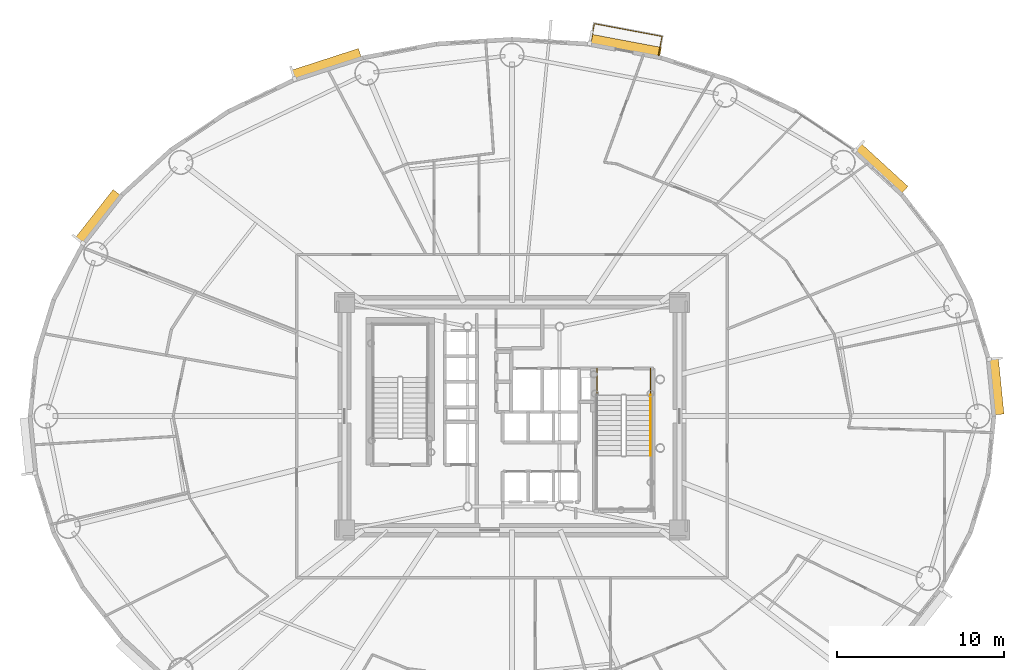
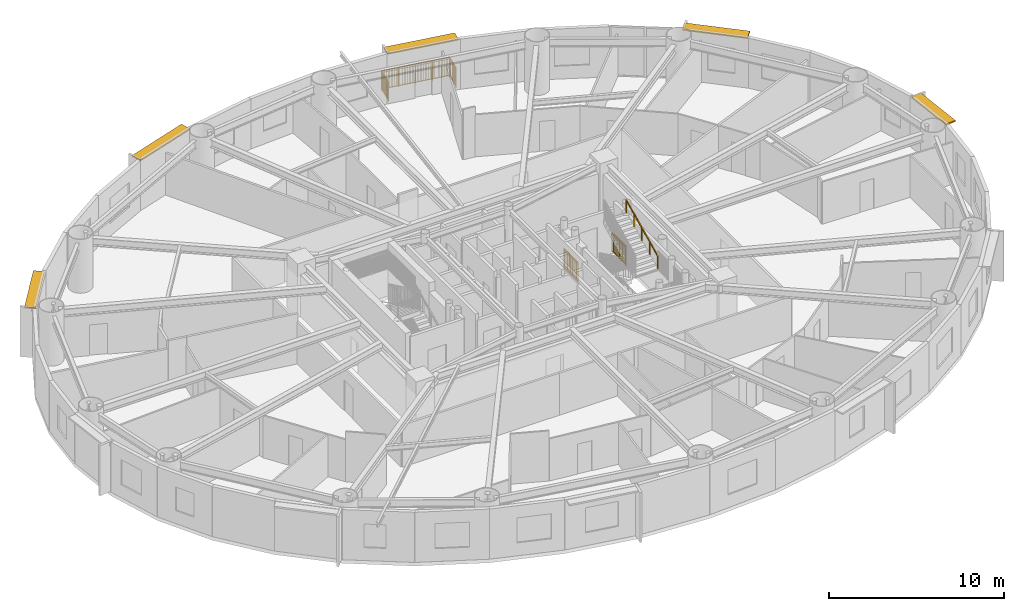
# One storey, part 20 of 20: 5 shading devices, 4 railings.
"""IFC4 building model written with IfcOpenShell, lengths in metres."""

from ifc_helpers import new_model, si_unit, direction, frame, origin, origin_2d, place, context, subcontext, project, spatial, rectangle, extrude, source, transform, mapped, material, layer, layer_set, type_object, element, save


model = new_model("IFC4")

# Units and contexts
model_context = context("Model", 3, precision=1e-05, world=origin(), true_north=direction((0.0, 1.0)))
body_context = subcontext(model_context, "Body", "Model", "MODEL_VIEW")
ifc_project = project(units=[si_unit("LENGTHUNIT", "METRE"), si_unit("AREAUNIT", "SQUARE_METRE"), si_unit("VOLUMEUNIT", "CUBIC_METRE"), si_unit("PLANEANGLEUNIT", "RADIAN"), si_unit("MASSUNIT", "GRAM", prefix="KILO")], contexts=[model_context])

# Site, building, storey
site_placement = place(None, origin())
site = spatial("IfcSite", under=ifc_project, at=site_placement, CompositionType="ELEMENT")
building_placement = place(site_placement, origin())
building = spatial("IfcBuilding", under=site, at=building_placement, Name="Linh Dai School and Residence Tower", CompositionType="ELEMENT")
storey_placement = place(building_placement, frame((0.0, 0.0, 127.199951171875)))
storey = spatial("IfcBuildingStorey", under=building, at=storey_placement, Name="L30", CompositionType="ELEMENT", Elevation=127.199951171875)

# Shading devices
ifc_material_1 = material(Name="Terracotta Ceramic Sunshade", Category="masonry")
ifc_layer = layer(ifc_material_1, 0.10009765625)
ifc_layer_set = layer_set([ifc_layer], Name="Terracotta Ceramic Sunshade")
shading_device_type = type_object("IfcShadingDeviceType", Name="SHD-TC-650", PredefinedType="USERDEFINED", material=ifc_layer_set)
shared_shape_1 = source(origin(), body_context, "Body", "SweptSolid", [
    extrude(rectangle(XDim=3.3916015625, YDim=0.64990234375, at=origin_2d()), origin(), (0.0, 0.0, 1.0), 0.10009765625),
])
shading_device_1_placement = place(storey_placement, frame((64.8818359375, 28.7861328125, 3.3798828125), z_axis=(0.0, 0.0, 1.0), x_axis=(0.100007297192, -0.994986703684, 0.0)))
element("IfcShadingDevice", 1, at=shading_device_1_placement, inside=storey, type_object=shading_device_type, Name="L30 Terracotta Horizontal Sunshade Band 01", ObjectType="SUNSHADE", PredefinedType="USERDEFINED", context=body_context, shape_type="MappedRepresentation", body=[
    mapped(shared_shape_1, transform((0.0, 0.0, 0.0), x_axis=(1.0, 0.0, 0.0), y_axis=(0.0, 1.0, 0.0), z_axis=(0.0, 0.0, 1.0), scale=1.0)),
])
shared_shape_2 = source(origin(), body_context, "Body", "SweptSolid", [
    extrude(rectangle(XDim=3.81689453125, YDim=0.64990234375, at=origin_2d()), origin(), (0.0, 0.0, 1.0), 0.10009765625),
])
shading_device_2_placement = place(storey_placement, frame((58.016357421875, 41.77001953125, 3.3798828125), z_axis=(0.0, 0.0, 1.0), x_axis=(0.737100266172, -0.675783395482, 0.0)))
element("IfcShadingDevice", 2, at=shading_device_2_placement, inside=storey, type_object=shading_device_type, Name="L30 Terracotta Horizontal Sunshade Band 05", ObjectType="SUNSHADE", PredefinedType="USERDEFINED", context=body_context, shape_type="MappedRepresentation", body=[
    mapped(shared_shape_2, transform((0.0, 0.0, 0.0), x_axis=(1.0, 0.0, 0.0), y_axis=(0.0, 1.0, 0.0), z_axis=(0.0, 0.0, 1.0), scale=1.0)),
])
shared_shape_3 = source(origin(), body_context, "Body", "SweptSolid", [
    extrude(rectangle(XDim=4.292236328125, YDim=0.64990234375, at=origin_2d()), origin(), (0.0, 0.0, 1.0), 0.10009765625),
])
shading_device_3_placement = place(storey_placement, frame((42.75537109375, 49.094482421875, 3.3798828125), z_axis=(0.0, 0.0, 1.0), x_axis=(0.982784673718, -0.18475466193, 0.0)))
element("IfcShadingDevice", 3, at=shading_device_3_placement, inside=storey, type_object=shading_device_type, Name="L30 Terracotta Horizontal Sunshade Band 09", ObjectType="SUNSHADE", PredefinedType="USERDEFINED", context=body_context, shape_type="MappedRepresentation", body=[
    mapped(shared_shape_3, transform((0.0, 0.0, 0.0), x_axis=(1.0, 0.0, 0.0), y_axis=(0.0, 1.0, 0.0), z_axis=(0.0, 0.0, 1.0), scale=1.0)),
])
shared_shape_4 = source(origin(), body_context, "Body", "SweptSolid", [
    extrude(rectangle(XDim=4.212890625, YDim=0.64990234375, at=origin_2d()), origin(), (0.0, 0.0, 1.0), 0.10009765625),
])
shading_device_4_placement = place(storey_placement, frame((24.92529296875, 47.995361328125, 3.3798828125), z_axis=(0.0, 0.0, 1.0), x_axis=(0.951217089442, 0.308522363457, 0.0)))
element("IfcShadingDevice", 4, at=shading_device_4_placement, inside=storey, type_object=shading_device_type, Name="L30 Terracotta Horizontal Sunshade Band 13", ObjectType="SUNSHADE", PredefinedType="USERDEFINED", context=body_context, shape_type="MappedRepresentation", body=[
    mapped(shared_shape_4, transform((0.0, 0.0, 0.0), x_axis=(1.0, 0.0, 0.0), y_axis=(0.0, 1.0, 0.0), z_axis=(0.0, 0.0, 1.0), scale=1.0)),
])
shared_shape_5 = source(origin(), body_context, "Body", "SweptSolid", [
    extrude(rectangle(XDim=3.67041015625, YDim=0.64990234375, at=origin_2d()), origin(), (0.0, 0.0, 1.0), 0.10009765625),
])
shading_device_5_placement = place(storey_placement, frame((11.308349609375, 38.88671875, 3.3798828125), z_axis=(0.0, 0.0, 1.0), x_axis=(0.616305017583, 0.787507539838, 0.0)))
element("IfcShadingDevice", 5, at=shading_device_5_placement, inside=storey, type_object=shading_device_type, Name="L30 Terracotta Horizontal Sunshade Band 17", ObjectType="SUNSHADE", PredefinedType="USERDEFINED", context=body_context, shape_type="MappedRepresentation", body=[
    mapped(shared_shape_5, transform((0.0, 0.0, 0.0), x_axis=(1.0, 0.0, 0.0), y_axis=(0.0, 1.0, 0.0), z_axis=(0.0, 0.0, 1.0), scale=1.0)),
])

# Railings
ifc_material_2 = material(Name="Structural Steel S355JR", Category="steel")
railing_type_1 = type_object("IfcRailingType", Name="RL-BAL-1400", PredefinedType="BALUSTRADE", material=ifc_material_2)
shared_shape_6 = source(origin(), body_context, "Body", "SweptSolid", [
    extrude(rectangle(XDim=0.048095703125, YDim=0.048095703125, at=origin_2d()), frame((0.0, 0.0, 1.3759765625), z_axis=(0.18476321632, 0.982783065531, 0.0), x_axis=(-0.982783065531, 0.18476321632, 0.0)), (0.0, 0.0, 1.0), 1.179931640625),
    extrude(rectangle(XDim=0.048095703125, YDim=0.048095703125, at=origin_2d()), frame((0.0, 0.0, 0.10009765625), z_axis=(0.18476321632, 0.982783065531, 0.0), x_axis=(-0.982783065531, 0.18476321632, 0.0)), (0.0, 0.0, 1.0), 1.179931640625),
    extrude(rectangle(XDim=0.030029296875, YDim=0.030029296875, at=origin_2d()), frame((0.0, 0.0, 1.239990234375), z_axis=(0.18476321632, 0.982783065531, 0.0), x_axis=(-0.982783065531, 0.18476321632, 0.0)), (0.0, 0.0, 1.0), 1.179931640625),
    extrude(rectangle(XDim=0.02001953125, YDim=0.02001953125, at=origin_2d()), frame((0.016845703125, 0.089111328125, 0.10009765625)), (0.0, 0.0, 1.0), 1.251708984375),
    extrude(rectangle(XDim=0.02001953125, YDim=0.02001953125, at=origin_2d()), frame((0.033447265625, 0.178466796875, 0.10009765625)), (0.0, 0.0, 1.0), 1.251708984375),
    extrude(rectangle(XDim=0.02001953125, YDim=0.02001953125, at=origin_2d()), frame((0.05029296875, 0.267578125, 0.10009765625)), (0.0, 0.0, 1.0), 1.251708984375),
    extrude(rectangle(XDim=0.02001953125, YDim=0.02001953125, at=origin_2d()), frame((0.067138671875, 0.35693359375, 0.10009765625)), (0.0, 0.0, 1.0), 1.251708984375),
    extrude(rectangle(XDim=0.02001953125, YDim=0.02001953125, at=origin_2d()), frame((0.083740234375, 0.446044921875, 0.10009765625)), (0.0, 0.0, 1.0), 1.251708984375),
    extrude(rectangle(XDim=0.02001953125, YDim=0.02001953125, at=origin_2d()), frame((0.1005859375, 0.53515625, 0.10009765625)), (0.0, 0.0, 1.0), 1.251708984375),
    extrude(rectangle(XDim=0.02001953125, YDim=0.02001953125, at=origin_2d()), frame((0.117431640625, 0.62451171875, 0.10009765625)), (0.0, 0.0, 1.0), 1.251708984375),
    extrude(rectangle(XDim=0.02001953125, YDim=0.02001953125, at=origin_2d()), frame((0.13427734375, 0.713623046875, 0.10009765625)), (0.0, 0.0, 1.0), 1.251708984375),
    extrude(rectangle(XDim=0.02001953125, YDim=0.02001953125, at=origin_2d()), frame((0.15087890625, 0.802734375, 0.10009765625)), (0.0, 0.0, 1.0), 1.251708984375),
    extrude(rectangle(XDim=0.02001953125, YDim=0.02001953125, at=origin_2d()), frame((0.167724609375, 0.89208984375, 0.10009765625)), (0.0, 0.0, 1.0), 1.251708984375),
    extrude(rectangle(XDim=0.02001953125, YDim=0.02001953125, at=origin_2d()), frame((0.1845703125, 0.981201171875, 0.10009765625)), (0.0, 0.0, 1.0), 1.251708984375),
    extrude(rectangle(XDim=0.02001953125, YDim=0.02001953125, at=origin_2d()), frame((0.201171875, 1.070556640625, 0.10009765625)), (0.0, 0.0, 1.0), 1.251708984375),
    extrude(rectangle(XDim=0.048095703125, YDim=0.048095703125, at=origin_2d()), frame((0.218017578125, 1.15966796875, 1.3759765625), z_axis=(0.98278535156, -0.184751056179, 0.0), x_axis=(0.184751056179, 0.98278535156, 0.0)), (0.0, 0.0, 1.0), 4.111083984375),
    extrude(rectangle(XDim=0.048095703125, YDim=0.048095703125, at=origin_2d()), frame((0.218017578125, 1.15966796875, 0.10009765625), z_axis=(0.98278535156, -0.184751056179, 0.0), x_axis=(0.184751056179, 0.98278535156, 0.0)), (0.0, 0.0, 1.0), 4.111083984375),
    extrude(rectangle(XDim=0.030029296875, YDim=0.030029296875, at=origin_2d()), frame((0.218017578125, 1.15966796875, 1.239990234375), z_axis=(0.98278535156, -0.184751056179, 0.0), x_axis=(0.184751056179, 0.98278535156, 0.0)), (0.0, 0.0, 1.0), 4.111083984375),
    extrude(rectangle(XDim=0.02001953125, YDim=0.02001953125, at=origin_2d()), frame((0.314208984375, 1.1416015625, 0.10009765625)), (0.0, 0.0, 1.0), 1.251708984375),
    extrude(rectangle(XDim=0.02001953125, YDim=0.02001953125, at=origin_2d()), frame((0.410400390625, 1.12353515625, 0.10009765625)), (0.0, 0.0, 1.0), 1.251708984375),
    extrude(rectangle(XDim=0.02001953125, YDim=0.02001953125, at=origin_2d()), frame((0.506591796875, 1.10546875, 0.10009765625)), (0.0, 0.0, 1.0), 1.251708984375),
    extrude(rectangle(XDim=0.02001953125, YDim=0.02001953125, at=origin_2d()), frame((0.602783203125, 1.08740234375, 0.10009765625)), (0.0, 0.0, 1.0), 1.251708984375),
    extrude(rectangle(XDim=0.02001953125, YDim=0.02001953125, at=origin_2d()), frame((0.698974609375, 1.0693359375, 0.10009765625)), (0.0, 0.0, 1.0), 1.251708984375),
    extrude(rectangle(XDim=0.02001953125, YDim=0.02001953125, at=origin_2d()), frame((0.795166015625, 1.05126953125, 0.10009765625)), (0.0, 0.0, 1.0), 1.251708984375),
    extrude(rectangle(XDim=0.02001953125, YDim=0.02001953125, at=origin_2d()), frame((0.891357421875, 1.033203125, 0.10009765625)), (0.0, 0.0, 1.0), 1.251708984375),
    extrude(rectangle(XDim=0.02001953125, YDim=0.02001953125, at=origin_2d()), frame((0.987548828125, 1.014892578125, 0.10009765625)), (0.0, 0.0, 1.0), 1.251708984375),
    extrude(rectangle(XDim=0.02001953125, YDim=0.02001953125, at=origin_2d()), frame((1.083740234375, 0.996826171875, 0.10009765625)), (0.0, 0.0, 1.0), 1.251708984375),
    extrude(rectangle(XDim=0.02001953125, YDim=0.02001953125, at=origin_2d()), frame((1.179931640625, 0.978759765625, 0.10009765625)), (0.0, 0.0, 1.0), 1.251708984375),
    extrude(rectangle(XDim=0.02001953125, YDim=0.02001953125, at=origin_2d()), frame((1.276123046875, 0.960693359375, 0.10009765625)), (0.0, 0.0, 1.0), 1.251708984375),
    extrude(rectangle(XDim=0.02001953125, YDim=0.02001953125, at=origin_2d()), frame((1.372314453125, 0.942626953125, 0.10009765625)), (0.0, 0.0, 1.0), 1.251708984375),
    extrude(rectangle(XDim=0.02001953125, YDim=0.02001953125, at=origin_2d()), frame((1.468505859375, 0.924560546875, 0.10009765625)), (0.0, 0.0, 1.0), 1.251708984375),
    extrude(rectangle(XDim=0.02001953125, YDim=0.02001953125, at=origin_2d()), frame((1.564697265625, 0.906494140625, 0.10009765625)), (0.0, 0.0, 1.0), 1.251708984375),
    extrude(rectangle(XDim=0.02001953125, YDim=0.02001953125, at=origin_2d()), frame((1.660888671875, 0.888427734375, 0.10009765625)), (0.0, 0.0, 1.0), 1.251708984375),
    extrude(rectangle(XDim=0.02001953125, YDim=0.02001953125, at=origin_2d()), frame((1.757080078125, 0.870361328125, 0.10009765625)), (0.0, 0.0, 1.0), 1.251708984375),
    extrude(rectangle(XDim=0.02001953125, YDim=0.02001953125, at=origin_2d()), frame((1.853271484375, 0.852294921875, 0.10009765625)), (0.0, 0.0, 1.0), 1.251708984375),
    extrude(rectangle(XDim=0.02001953125, YDim=0.02001953125, at=origin_2d()), frame((1.949462890625, 0.834228515625, 0.10009765625)), (0.0, 0.0, 1.0), 1.251708984375),
    extrude(rectangle(XDim=0.02001953125, YDim=0.02001953125, at=origin_2d()), frame((2.045654296875, 0.816162109375, 0.10009765625)), (0.0, 0.0, 1.0), 1.251708984375),
    extrude(rectangle(XDim=0.02001953125, YDim=0.02001953125, at=origin_2d()), frame((2.141845703125, 0.798095703125, 0.10009765625)), (0.0, 0.0, 1.0), 1.251708984375),
    extrude(rectangle(XDim=0.02001953125, YDim=0.02001953125, at=origin_2d()), frame((2.33447265625, 0.76171875, 0.10009765625)), (0.0, 0.0, 1.0), 1.251708984375),
    extrude(rectangle(XDim=0.02001953125, YDim=0.02001953125, at=origin_2d()), frame((2.4306640625, 0.74365234375, 0.10009765625)), (0.0, 0.0, 1.0), 1.251708984375),
    extrude(rectangle(XDim=0.02001953125, YDim=0.02001953125, at=origin_2d()), frame((2.52685546875, 0.7255859375, 0.10009765625)), (0.0, 0.0, 1.0), 1.251708984375),
    extrude(rectangle(XDim=0.02001953125, YDim=0.02001953125, at=origin_2d()), frame((2.623046875, 0.70751953125, 0.10009765625)), (0.0, 0.0, 1.0), 1.251708984375),
    extrude(rectangle(XDim=0.02001953125, YDim=0.02001953125, at=origin_2d()), frame((2.71923828125, 0.689453125, 0.10009765625)), (0.0, 0.0, 1.0), 1.251708984375),
    extrude(rectangle(XDim=0.02001953125, YDim=0.02001953125, at=origin_2d()), frame((2.8154296875, 0.67138671875, 0.10009765625)), (0.0, 0.0, 1.0), 1.251708984375),
    extrude(rectangle(XDim=0.02001953125, YDim=0.02001953125, at=origin_2d()), frame((2.91162109375, 0.6533203125, 0.10009765625)), (0.0, 0.0, 1.0), 1.251708984375),
    extrude(rectangle(XDim=0.02001953125, YDim=0.02001953125, at=origin_2d()), frame((3.0078125, 0.63525390625, 0.10009765625)), (0.0, 0.0, 1.0), 1.251708984375),
    extrude(rectangle(XDim=0.02001953125, YDim=0.02001953125, at=origin_2d()), frame((3.10400390625, 0.6171875, 0.10009765625)), (0.0, 0.0, 1.0), 1.251708984375),
    extrude(rectangle(XDim=0.02001953125, YDim=0.02001953125, at=origin_2d()), frame((3.2001953125, 0.59912109375, 0.10009765625)), (0.0, 0.0, 1.0), 1.251708984375),
    extrude(rectangle(XDim=0.02001953125, YDim=0.02001953125, at=origin_2d()), frame((3.29638671875, 0.5810546875, 0.10009765625)), (0.0, 0.0, 1.0), 1.251708984375),
    extrude(rectangle(XDim=0.02001953125, YDim=0.02001953125, at=origin_2d()), frame((3.392578125, 0.56298828125, 0.10009765625)), (0.0, 0.0, 1.0), 1.251708984375),
    extrude(rectangle(XDim=0.02001953125, YDim=0.02001953125, at=origin_2d()), frame((3.48876953125, 0.544921875, 0.10009765625)), (0.0, 0.0, 1.0), 1.251708984375),
    extrude(rectangle(XDim=0.02001953125, YDim=0.02001953125, at=origin_2d()), frame((3.5849609375, 0.52685546875, 0.10009765625)), (0.0, 0.0, 1.0), 1.251708984375),
    extrude(rectangle(XDim=0.02001953125, YDim=0.02001953125, at=origin_2d()), frame((3.68115234375, 0.508544921875, 0.10009765625)), (0.0, 0.0, 1.0), 1.251708984375),
    extrude(rectangle(XDim=0.02001953125, YDim=0.02001953125, at=origin_2d()), frame((3.77734375, 0.490478515625, 0.10009765625)), (0.0, 0.0, 1.0), 1.251708984375),
    extrude(rectangle(XDim=0.02001953125, YDim=0.02001953125, at=origin_2d()), frame((3.87353515625, 0.472412109375, 0.10009765625)), (0.0, 0.0, 1.0), 1.251708984375),
    extrude(rectangle(XDim=0.02001953125, YDim=0.02001953125, at=origin_2d()), frame((3.9697265625, 0.454345703125, 0.10009765625)), (0.0, 0.0, 1.0), 1.251708984375),
    extrude(rectangle(XDim=0.02001953125, YDim=0.02001953125, at=origin_2d()), frame((4.06591796875, 0.436279296875, 0.10009765625)), (0.0, 0.0, 1.0), 1.251708984375),
    extrude(rectangle(XDim=0.02001953125, YDim=0.02001953125, at=origin_2d()), frame((4.162109375, 0.418212890625, 0.10009765625)), (0.0, 0.0, 1.0), 1.251708984375),
    extrude(rectangle(XDim=0.048095703125, YDim=0.048095703125, at=origin_2d()), frame((4.25830078125, 0.400146484375, 1.3759765625), z_axis=(-0.18476321632, -0.982783065531, 0.0), x_axis=(0.982783065531, -0.18476321632, 0.0)), (0.0, 0.0, 1.0), 1.179931640625),
    extrude(rectangle(XDim=0.048095703125, YDim=0.048095703125, at=origin_2d()), frame((4.25830078125, 0.400146484375, 0.10009765625), z_axis=(-0.18476321632, -0.982783065531, 0.0), x_axis=(0.982783065531, -0.18476321632, 0.0)), (0.0, 0.0, 1.0), 1.179931640625),
    extrude(rectangle(XDim=0.030029296875, YDim=0.030029296875, at=origin_2d()), frame((4.25830078125, 0.400146484375, 1.239990234375), z_axis=(-0.18476321632, -0.982783065531, 0.0), x_axis=(0.982783065531, -0.18476321632, 0.0)), (0.0, 0.0, 1.0), 1.179931640625),
    extrude(rectangle(XDim=0.02001953125, YDim=0.02001953125, at=origin_2d()), frame((4.241455078125, 0.31103515625, 0.10009765625)), (0.0, 0.0, 1.0), 1.251708984375),
    extrude(rectangle(XDim=0.02001953125, YDim=0.02001953125, at=origin_2d()), frame((4.224853515625, 0.2216796875, 0.10009765625)), (0.0, 0.0, 1.0), 1.251708984375),
    extrude(rectangle(XDim=0.02001953125, YDim=0.02001953125, at=origin_2d()), frame((4.2080078125, 0.132568359375, 0.10009765625)), (0.0, 0.0, 1.0), 1.251708984375),
    extrude(rectangle(XDim=0.02001953125, YDim=0.02001953125, at=origin_2d()), frame((4.191162109375, 0.043212890625, 0.10009765625)), (0.0, 0.0, 1.0), 1.251708984375),
    extrude(rectangle(XDim=0.02001953125, YDim=0.02001953125, at=origin_2d()), frame((4.174560546875, -0.0458984375, 0.10009765625)), (0.0, 0.0, 1.0), 1.251708984375),
    extrude(rectangle(XDim=0.02001953125, YDim=0.02001953125, at=origin_2d()), frame((4.15771484375, -0.135009765625, 0.10009765625)), (0.0, 0.0, 1.0), 1.251708984375),
    extrude(rectangle(XDim=0.02001953125, YDim=0.02001953125, at=origin_2d()), frame((4.140869140625, -0.224365234375, 0.10009765625)), (0.0, 0.0, 1.0), 1.251708984375),
    extrude(rectangle(XDim=0.02001953125, YDim=0.02001953125, at=origin_2d()), frame((4.1240234375, -0.3134765625, 0.10009765625)), (0.0, 0.0, 1.0), 1.251708984375),
    extrude(rectangle(XDim=0.02001953125, YDim=0.02001953125, at=origin_2d()), frame((4.107421875, -0.402587890625, 0.10009765625)), (0.0, 0.0, 1.0), 1.251708984375),
    extrude(rectangle(XDim=0.02001953125, YDim=0.02001953125, at=origin_2d()), frame((4.090576171875, -0.491943359375, 0.10009765625)), (0.0, 0.0, 1.0), 1.251708984375),
    extrude(rectangle(XDim=0.02001953125, YDim=0.02001953125, at=origin_2d()), frame((4.07373046875, -0.5810546875, 0.10009765625)), (0.0, 0.0, 1.0), 1.251708984375),
    extrude(rectangle(XDim=0.02001953125, YDim=0.02001953125, at=origin_2d()), frame((4.05712890625, -0.67041015625, 0.10009765625)), (0.0, 0.0, 1.0), 1.251708984375),
    extrude(rectangle(XDim=0.0419921875, YDim=0.0419921875, at=origin_2d()), origin(), (0.0, 0.0, 1.0), 1.3759765625),
    extrude(rectangle(XDim=0.0419921875, YDim=0.0419921875, at=origin_2d()), frame((0.218017578125, 1.15966796875, 0.0)), (0.0, 0.0, 1.0), 1.3759765625),
    extrude(rectangle(XDim=0.0419921875, YDim=0.0419921875, at=origin_2d()), frame((1.22802734375, 0.9697265625, 0.0)), (0.0, 0.0, 1.0), 1.3759765625),
    extrude(rectangle(XDim=0.0419921875, YDim=0.0419921875, at=origin_2d()), frame((2.23828125, 0.77978515625, 0.0)), (0.0, 0.0, 1.0), 1.3759765625),
    extrude(rectangle(XDim=0.0419921875, YDim=0.0419921875, at=origin_2d()), frame((3.248291015625, 0.590087890625, 0.0)), (0.0, 0.0, 1.0), 1.3759765625),
    extrude(rectangle(XDim=0.0419921875, YDim=0.0419921875, at=origin_2d()), frame((4.25830078125, 0.400146484375, 0.0)), (0.0, 0.0, 1.0), 1.3759765625),
    extrude(rectangle(XDim=0.0419921875, YDim=0.0419921875, at=origin_2d()), frame((4.040283203125, -0.759521484375, 0.0)), (0.0, 0.0, 1.0), 1.3759765625),
])
railing_1_placement = place(storey_placement, frame((40.6982421875, 49.277587890625, 0.0)))
element("IfcRailing", 6, at=railing_1_placement, inside=storey, type_object=railing_type_1, Name="L30 Balcony Safety Balustrade 09", PredefinedType="BALUSTRADE", context=body_context, shape_type="MappedRepresentation", body=[
    mapped(shared_shape_6, transform((0.0, 0.0, 0.0), x_axis=(1.0, 0.0, 0.0), y_axis=(0.0, 1.0, 0.0), z_axis=(0.0, 0.0, 1.0), scale=1.0)),
])
ifc_material_3 = material(Name="Brushed Stainless Steel Handrail", Category="steel")
railing_type_2 = type_object("IfcRailingType", Name="RL-ST-HANDRAIL-900", PredefinedType="HANDRAIL", material=ifc_material_3)
shared_shape_7 = source(origin(), body_context, "Body", "SweptSolid", [
    extrude(rectangle(XDim=0.048095703125, YDim=0.048095703125, at=origin_2d()), frame((0.0, 0.0, 0.8759765625), z_axis=(0.0, 0.901262522062, 0.433273431364), x_axis=(-1.0, 0.0, 0.0)), (0.0, 0.0, 1.0), 3.994384765625),
    extrude(rectangle(XDim=0.0419921875, YDim=0.0419921875, at=origin_2d()), origin(), (0.0, 0.0, 1.0), 0.8759765625),
    extrude(rectangle(XDim=0.0419921875, YDim=0.0419921875, at=origin_2d()), frame((0.0, 0.89990234375, 0.4326171875)), (0.0, 0.0, 1.0), 0.8759765625),
    extrude(rectangle(XDim=0.0419921875, YDim=0.0419921875, at=origin_2d()), frame((0.0, 1.800048828125, 0.865234375)), (0.0, 0.0, 1.0), 0.8759765625),
    extrude(rectangle(XDim=0.0419921875, YDim=0.0419921875, at=origin_2d()), frame((0.0, 2.7001953125, 1.298095703125)), (0.0, 0.0, 1.0), 0.8759765625),
    extrude(rectangle(XDim=0.0419921875, YDim=0.0419921875, at=origin_2d()), frame((0.0, 3.60009765625, 1.730712890625)), (0.0, 0.0, 1.0), 0.8759765625),
])
railing_2_placement = place(storey_placement, frame((44.27001953125, 24.64990234375, 2.019287109375)))
element("IfcRailing", 7, at=railing_2_placement, inside=storey, type_object=railing_type_2, Name="L30 ST2 stair handrail 2", PredefinedType="HANDRAIL", context=body_context, shape_type="MappedRepresentation", body=[
    mapped(shared_shape_7, transform((0.0, 0.0, 0.0), x_axis=(1.0, 0.0, 0.0), y_axis=(0.0, 1.0, 0.0), z_axis=(0.0, 0.0, 1.0), scale=1.0)),
])
railing_type_3 = type_object("IfcRailingType", Name="RL-ST-GUARD-1400", PredefinedType="GUARDRAIL", material=ifc_material_2)
shared_shape_8 = source(origin(), body_context, "Body", "SweptSolid", [
    extrude(rectangle(XDim=0.048095703125, YDim=0.048095703125, at=origin_2d()), frame((0.0, 0.0, 1.3759765625), z_axis=(0.0, -1.0, 0.0), x_axis=(1.0, 0.0, 0.0)), (0.0, 0.0, 1.0), 1.60009765625),
    extrude(rectangle(XDim=0.048095703125, YDim=0.048095703125, at=origin_2d()), frame((0.0, 0.0, 0.10009765625), z_axis=(0.0, -1.0, 0.0), x_axis=(1.0, 0.0, 0.0)), (0.0, 0.0, 1.0), 1.60009765625),
    extrude(rectangle(XDim=0.030029296875, YDim=0.030029296875, at=origin_2d()), frame((0.0, 0.0, 1.239990234375), z_axis=(0.0, -1.0, 0.0), x_axis=(1.0, 0.0, 0.0)), (0.0, 0.0, 1.0), 1.60009765625),
    extrude(rectangle(XDim=0.02001953125, YDim=0.02001953125, at=origin_2d()), frame((0.0, -0.09423828125, 0.10009765625)), (0.0, 0.0, 1.0), 1.251708984375),
    extrude(rectangle(XDim=0.02001953125, YDim=0.02001953125, at=origin_2d()), frame((0.0, -0.188232421875, 0.10009765625)), (0.0, 0.0, 1.0), 1.251708984375),
    extrude(rectangle(XDim=0.02001953125, YDim=0.02001953125, at=origin_2d()), frame((0.0, -0.282470703125, 0.10009765625)), (0.0, 0.0, 1.0), 1.251708984375),
    extrude(rectangle(XDim=0.02001953125, YDim=0.02001953125, at=origin_2d()), frame((0.0, -0.37646484375, 0.10009765625)), (0.0, 0.0, 1.0), 1.251708984375),
    extrude(rectangle(XDim=0.02001953125, YDim=0.02001953125, at=origin_2d()), frame((0.0, -0.470703125, 0.10009765625)), (0.0, 0.0, 1.0), 1.251708984375),
    extrude(rectangle(XDim=0.02001953125, YDim=0.02001953125, at=origin_2d()), frame((0.0, -0.564697265625, 0.10009765625)), (0.0, 0.0, 1.0), 1.251708984375),
    extrude(rectangle(XDim=0.02001953125, YDim=0.02001953125, at=origin_2d()), frame((0.0, -0.658935546875, 0.10009765625)), (0.0, 0.0, 1.0), 1.251708984375),
    extrude(rectangle(XDim=0.02001953125, YDim=0.02001953125, at=origin_2d()), frame((0.0, -0.7529296875, 0.10009765625)), (0.0, 0.0, 1.0), 1.251708984375),
    extrude(rectangle(XDim=0.02001953125, YDim=0.02001953125, at=origin_2d()), frame((0.0, -0.84716796875, 0.10009765625)), (0.0, 0.0, 1.0), 1.251708984375),
    extrude(rectangle(XDim=0.02001953125, YDim=0.02001953125, at=origin_2d()), frame((0.0, -0.941162109375, 0.10009765625)), (0.0, 0.0, 1.0), 1.251708984375),
    extrude(rectangle(XDim=0.02001953125, YDim=0.02001953125, at=origin_2d()), frame((0.0, -1.035400390625, 0.10009765625)), (0.0, 0.0, 1.0), 1.251708984375),
    extrude(rectangle(XDim=0.02001953125, YDim=0.02001953125, at=origin_2d()), frame((0.0, -1.12939453125, 0.10009765625)), (0.0, 0.0, 1.0), 1.251708984375),
    extrude(rectangle(XDim=0.02001953125, YDim=0.02001953125, at=origin_2d()), frame((0.0, -1.2236328125, 0.10009765625)), (0.0, 0.0, 1.0), 1.251708984375),
    extrude(rectangle(XDim=0.02001953125, YDim=0.02001953125, at=origin_2d()), frame((0.0, -1.317626953125, 0.10009765625)), (0.0, 0.0, 1.0), 1.251708984375),
    extrude(rectangle(XDim=0.02001953125, YDim=0.02001953125, at=origin_2d()), frame((0.0, -1.411865234375, 0.10009765625)), (0.0, 0.0, 1.0), 1.251708984375),
    extrude(rectangle(XDim=0.02001953125, YDim=0.02001953125, at=origin_2d()), frame((0.0, -1.505859375, 0.10009765625)), (0.0, 0.0, 1.0), 1.251708984375),
    extrude(rectangle(XDim=0.0419921875, YDim=0.0419921875, at=origin_2d()), origin(), (0.0, 0.0, 1.0), 1.3759765625),
    extrude(rectangle(XDim=0.0419921875, YDim=0.0419921875, at=origin_2d()), frame((0.0, -0.800048828125, 0.0)), (0.0, 0.0, 1.0), 1.3759765625),
    extrude(rectangle(XDim=0.0419921875, YDim=0.0419921875, at=origin_2d()), frame((0.0, -1.60009765625, 0.0)), (0.0, 0.0, 1.0), 1.3759765625),
])
for number, where, name in (
    (8, (41.070068359375, 29.85009765625, 0.0), "L30 ST2 stair guard 8"),
    (9, (44.27001953125, 29.85009765625, 0.0), "L30 ST2 stair guard 9"),
):
    element("IfcRailing", number, at=place(storey_placement, frame(where)), inside=storey, type_object=railing_type_3, Name=name, PredefinedType="GUARDRAIL", context=body_context, shape_type="MappedRepresentation", body=[
        mapped(shared_shape_8, transform((0.0, 0.0, 0.0), x_axis=(1.0, 0.0, 0.0), y_axis=(0.0, 1.0, 0.0), z_axis=(0.0, 0.0, 1.0), scale=1.0)),
    ])

save(model, "model.ifc")
